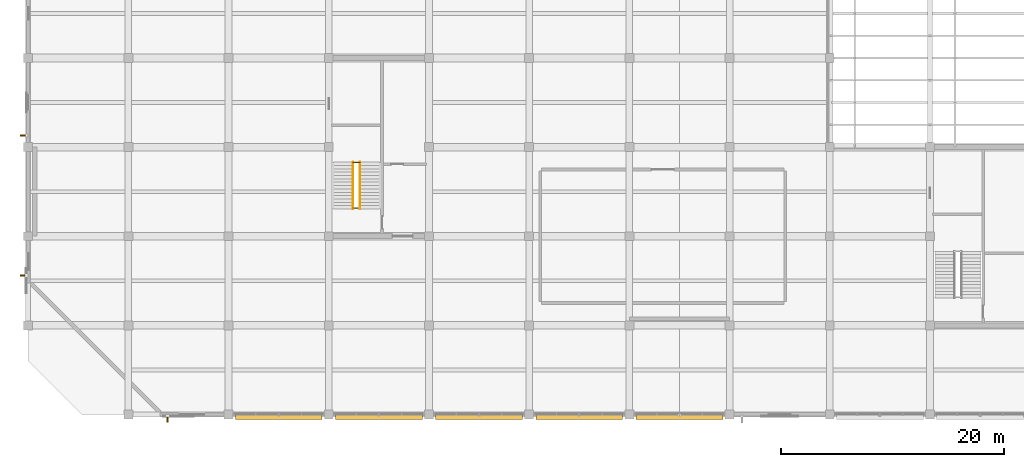
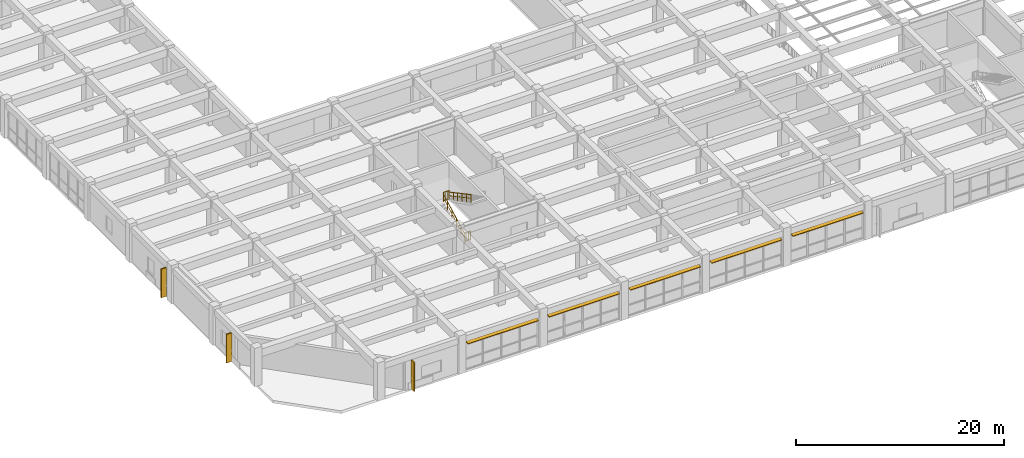
# One storey, part 42 of 50: 8 shading devices, 4 railings.
"""IFC4 building model written with IfcOpenShell, lengths in metres."""

from ifc_helpers import new_model, si_unit, direction, frame, frame_2d, origin, origin_2d, place, context, subcontext, project, spatial, rectangle, circle, extrude, material, layer, layer_set, type_object, element, save


model = new_model("IFC4")

# Units and contexts
model_context = context("Model", 3, precision=1e-05, world=origin(), true_north=direction((0.0, 1.0)))
body_context = subcontext(model_context, "Body", "Model", "MODEL_VIEW")
ifc_project = project(units=[si_unit("LENGTHUNIT", "METRE"), si_unit("AREAUNIT", "SQUARE_METRE"), si_unit("VOLUMEUNIT", "CUBIC_METRE"), si_unit("PLANEANGLEUNIT", "RADIAN"), si_unit("MASSUNIT", "GRAM", prefix="KILO")], contexts=[model_context])

# Site, building, storey
site_placement = place(None, origin())
site = spatial("IfcSite", under=ifc_project, at=site_placement, CompositionType="ELEMENT")
building_placement = place(site_placement, origin())
building = spatial("IfcBuilding", under=site, at=building_placement, Name="Zaverband Oceanarium and Marine Research Institute", CompositionType="ELEMENT")
storey_placement = place(building_placement, frame((0.0, 0.0, 9.0)))
storey = spatial("IfcBuildingStorey", under=building, at=storey_placement, Name="L02", CompositionType="ELEMENT", Elevation=9.0)

# Railings
ifc_material_1 = material(Name="Steel S355", Category="steel")
ifc_layer_1 = layer(ifc_material_1, 0.06005859375, Name="Steel S355")
ifc_layer_set_1 = layer_set([ifc_layer_1], Name="Steel S355")
railing_type_1 = type_object("IfcRailingType", Name="GRD-1100", PredefinedType="BALUSTRADE", material=ifc_layer_set_1)
for number, where, name in (
    (1, (29.18994140625, 22.6298828125, 2.25), "1100 mm steel post-and-baluster safety guard GRD-1100"),
    (2, (29.18994140625, 18.530029296875, 0.0), "1100 mm steel post-and-baluster safety guard GRD-1100"),
):
    element("IfcRailing", number, at=place(storey_placement, frame(where)), inside=storey, type_object=railing_type_1, Name=name, PredefinedType="BALUSTRADE", context=body_context, shape_type="SweptSolid", body=[
        extrude(circle(Radius=0.02392578125, at=origin_2d()), frame((0.0, 0.0, 1.076171875), z_axis=(1.0, 0.0, 0.0), x_axis=(0.0, 1.0, 0.0)), (0.0, 0.0, 1.0), 0.6201171875),
        extrude(circle(Radius=0.009033203125, at=origin_2d()), frame((0.0, 0.0, 0.10009765625), z_axis=(1.0, 0.0, 0.0), x_axis=(0.0, 1.0, 0.0)), (0.0, 0.0, 1.0), 0.6201171875),
        extrude(circle(Radius=0.009033203125, at=origin_2d()), frame((0.206787109375, 0.0, 0.10009765625)), (0.0, 0.0, 1.0), 0.951904296875),
        extrude(circle(Radius=0.009033203125, at=origin_2d()), frame((0.413330078125, 0.0, 0.10009765625)), (0.0, 0.0, 1.0), 0.951904296875),
        extrude(circle(Radius=0.02099609375, at=origin_2d()), origin(), (0.0, 0.0, 1.0), 1.052001953125),
        extrude(circle(Radius=0.02099609375, at=origin_2d()), frame((0.6201171875, 0.0, 0.0)), (0.0, 0.0, 1.0), 1.052001953125),
    ])
ifc_layer_2 = layer(ifc_material_1, 0.050048828125, Name="Steel S355")
ifc_layer_set_2 = layer_set([ifc_layer_2], Name="Steel S355")
railing_type_2 = type_object("IfcRailingType", Name="HR-920", PredefinedType="HANDRAIL", material=ifc_layer_set_2)
railing_1_placement = place(storey_placement, frame((29.18994140625, 18.449951171875, 0.0)))
element("IfcRailing", 3, at=railing_1_placement, inside=storey, type_object=railing_type_2, Name="920 mm continuous tubular stair and ramp handrail HR-920", PredefinedType="HANDRAIL", context=body_context, shape_type="SweptSolid", body=[
    extrude(circle(Radius=0.02392578125, at=origin_2d()), frame((0.0, 0.0, 0.89599609375), z_axis=(0.0, 0.881477684796, 0.472225678258), x_axis=(-1.0, 0.0, 0.0)), (0.0, 0.0, 1.0), 4.7646484375),
    extrude(circle(Radius=0.009033203125, at=origin_2d()), frame((0.0, 0.0, 0.4599609375), z_axis=(0.0, 0.881477684796, 0.472225678258), x_axis=(-1.0, 0.0, 0.0)), (0.0, 0.0, 1.0), 4.7646484375),
    extrude(circle(Radius=0.02099609375, at=origin_2d()), origin(), (0.0, 0.0, 1.0), 0.871826171875),
    extrude(circle(Radius=0.02099609375, at=origin_2d()), frame((0.0, 0.840087890625, 0.449951171875)), (0.0, 0.0, 1.0), 0.871826171875),
    extrude(circle(Radius=0.02099609375, at=origin_2d()), frame((0.0, 1.679931640625, 0.89990234375)), (0.0, 0.0, 1.0), 0.871826171875),
    extrude(circle(Radius=0.02099609375, at=origin_2d()), frame((0.0, 2.52001953125, 1.35009765625)), (0.0, 0.0, 1.0), 0.871826171875),
    extrude(circle(Radius=0.02099609375, at=origin_2d()), frame((0.0, 3.35986328125, 1.800048828125)), (0.0, 0.0, 1.0), 0.871826171875),
    extrude(circle(Radius=0.02099609375, at=origin_2d()), frame((0.0, 4.199951171875, 2.25)), (0.0, 0.0, 1.0), 0.871826171875),
])
railing_2_placement = place(storey_placement, frame((29.81005859375, 22.64990234375, 2.25)))
element("IfcRailing", 4, at=railing_2_placement, inside=storey, type_object=railing_type_2, Name="920 mm continuous tubular stair and ramp handrail HR-920", PredefinedType="HANDRAIL", context=body_context, shape_type="SweptSolid", body=[
    extrude(circle(Radius=0.02392578125, at=origin_2d()), frame((0.0, 0.0, 0.89599609375), z_axis=(0.0, -0.881477684796, 0.472225678258), x_axis=(1.0, 0.0, 0.0)), (0.0, 0.0, 1.0), 4.7646484375),
    extrude(circle(Radius=0.009033203125, at=origin_2d()), frame((0.0, 0.0, 0.4599609375), z_axis=(0.0, -0.881477684796, 0.472225678258), x_axis=(1.0, 0.0, 0.0)), (0.0, 0.0, 1.0), 4.7646484375),
    extrude(circle(Radius=0.02099609375, at=origin_2d()), origin(), (0.0, 0.0, 1.0), 0.871826171875),
    extrude(circle(Radius=0.02099609375, at=origin_2d()), frame((0.0, -0.840087890625, 0.449951171875)), (0.0, 0.0, 1.0), 0.871826171875),
    extrude(circle(Radius=0.02099609375, at=origin_2d()), frame((0.0, -1.679931640625, 0.89990234375)), (0.0, 0.0, 1.0), 0.871826171875),
    extrude(circle(Radius=0.02099609375, at=origin_2d()), frame((0.0, -2.52001953125, 1.35009765625)), (0.0, 0.0, 1.0), 0.871826171875),
    extrude(circle(Radius=0.02099609375, at=origin_2d()), frame((0.0, -3.35986328125, 1.800048828125)), (0.0, 0.0, 1.0), 0.871826171875),
    extrude(circle(Radius=0.02099609375, at=origin_2d()), frame((0.0, -4.199951171875, 2.25)), (0.0, 0.0, 1.0), 0.871826171875),
])

# Shading devices
ifc_material_2 = material(Name="Concrete C40/50 precast brise-soleil", Category="concrete")
ifc_layer_3 = layer(ifc_material_2, 0.139892578125, Name="Concrete C40/50 precast brise-soleil")
ifc_layer_set_3 = layer_set([ifc_layer_3], Name="Concrete C40/50 precast brise-soleil")
shading_device_type_1 = type_object("IfcShadingDeviceType", Name="SHD-FIN-600", PredefinedType="JALOUSIE", material=ifc_layer_set_3)
shading_device_1_placement = place(storey_placement, frame((12.52001953125, -0.112548828125, 0.0), z_axis=(0.0, 0.0, 1.0), x_axis=(0.0, -1.0, 0.0)))
element("IfcShadingDevice", 5, at=shading_device_1_placement, inside=storey, type_object=shading_device_type_1, Name="600 mm vertical precast brise-soleil fin SHD-FIN-600", PredefinedType="JALOUSIE", context=body_context, shape_type="SweptSolid", body=[
    extrude(rectangle(XDim=0.599853515625, YDim=0.139892578125, at=frame_2d((0.2998046875, 0.0))), origin(), (0.0, 0.0, 1.0), 3.3701171875),
])
shading_device_2_placement = place(storey_placement, frame((-0.135009765625, 12.469970703125, 0.0), z_axis=(0.0, 0.0, 1.0), x_axis=(-1.0, 0.0, 0.0)))
element("IfcShadingDevice", 6, at=shading_device_2_placement, inside=storey, type_object=shading_device_type_1, Name="600 mm vertical precast brise-soleil fin SHD-FIN-600", PredefinedType="JALOUSIE", context=body_context, shape_type="SweptSolid", body=[
    extrude(rectangle(XDim=0.60009765625, YDim=0.139892578125, at=frame_2d((0.300048828125, 0.0))), origin(), (0.0, 0.0, 1.0), 3.3701171875),
])
shading_device_3_placement = place(storey_placement, frame((-0.112548828125, 25.054931640625, 0.0), z_axis=(0.0, 0.0, 1.0), x_axis=(-1.0, 0.0, 0.0)))
element("IfcShadingDevice", 7, at=shading_device_3_placement, inside=storey, type_object=shading_device_type_1, Name="600 mm vertical precast brise-soleil fin SHD-FIN-600", PredefinedType="JALOUSIE", context=body_context, shape_type="SweptSolid", body=[
    extrude(rectangle(XDim=0.599853515625, YDim=0.139892578125, at=frame_2d((0.2998046875, 0.0))), origin(), (0.0, 0.0, 1.0), 3.3701171875),
])
ifc_material_3 = material(Name="Anodized bronze marine-grade aluminium", Category="aluminium")
ifc_layer_4 = layer(ifc_material_3, 0.080078125, Name="Anodized bronze marine-grade aluminium")
ifc_layer_set_4 = layer_set([ifc_layer_4], Name="Anodized bronze marine-grade aluminium")
shading_device_type_2 = type_object("IfcShadingDeviceType", Name="SHD-LVR-450", PredefinedType="USERDEFINED", material=ifc_layer_set_4)
for number, where, z_axis, x_axis, name in (
    (8, (18.60498046875, -0.239990234375, 3.239990234375), (0.0, 0.0, 1.0), (1.0, 0.0, 0.0), "450 mm horizontal solar shading louvre SHD-LVR-450"),
    (9, (27.60498046875, -0.239990234375, 3.239990234375), (0.0, 0.0, 1.0), (1.0, 0.0, 0.0), "450 mm horizontal solar shading louvre SHD-LVR-450"),
    (10, (36.60498046875, -0.239990234375, 3.239990234375), (0.0, 0.0, 1.0), (1.0, 0.0, 0.0), "450 mm horizontal solar shading louvre SHD-LVR-450"),
    (11, (45.60498046875, -0.239990234375, 3.239990234375), (0.0, 0.0, 1.0), (1.0, 0.0, 0.0), "450 mm horizontal solar shading louvre SHD-LVR-450"),
    (12, (54.60498046875, -0.239990234375, 3.239990234375), (0.0, 0.0, 1.0), (1.0, 0.0, 0.0), "450 mm horizontal solar shading louvre SHD-LVR-450"),
):
    element("IfcShadingDevice", number, at=place(storey_placement, frame(where, z_axis=z_axis, x_axis=x_axis)), inside=storey, type_object=shading_device_type_2, Name=name, ObjectType="LOUVRE", PredefinedType="USERDEFINED", context=body_context, shape_type="SweptSolid", body=[
        extrude(rectangle(XDim=7.7900390625, YDim=0.449951171875, at=frame_2d((3.89501953125, 0.0))), origin(), (0.0, 0.0, 1.0), 0.080078125),
    ])

save(model, "model.ifc")
